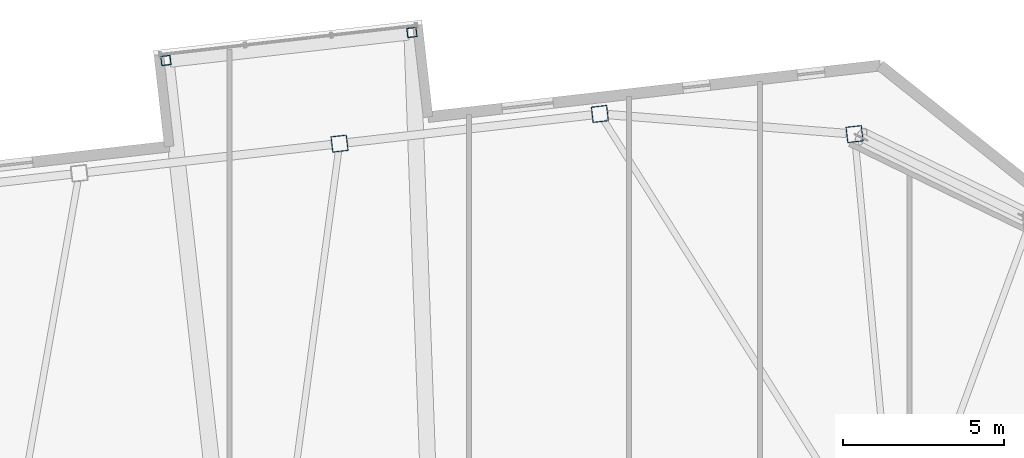
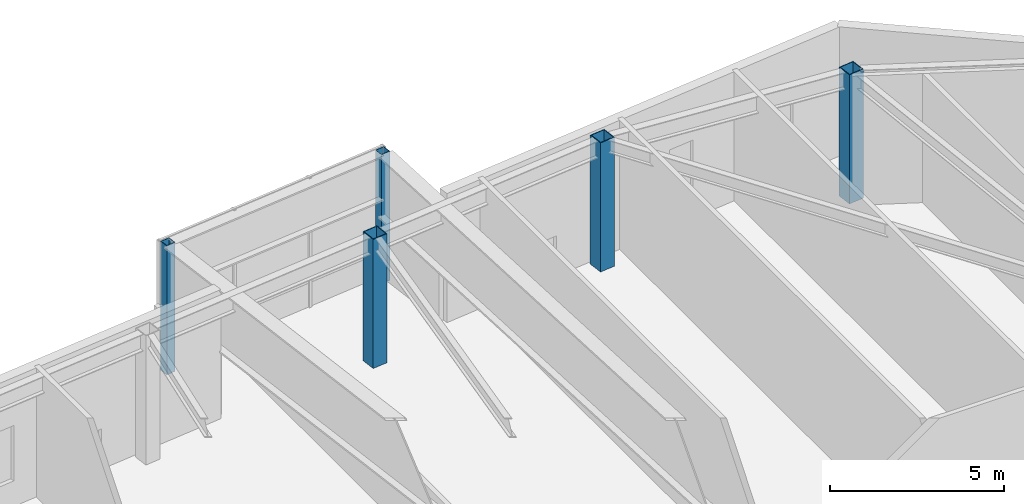
# One storey, part 3 of 21: 5 columns.
"""IFC4 building model written with IfcOpenShell, lengths in metres."""

from ifc_helpers import new_model, si_unit, direction, frame, origin, origin_2d, place, context, subcontext, project, spatial, hollow_rectangle, extrude, material, material_profile, profile_set, type_object, element, save


model = new_model("IFC4")

# Units and contexts
model_context = context("Model", 3, precision=1e-05, world=origin(), true_north=direction((0.0, 1.0)))
body_context = subcontext(model_context, "Body", "Model", "MODEL_VIEW")
ifc_project = project(units=[si_unit("LENGTHUNIT", "METRE"), si_unit("AREAUNIT", "SQUARE_METRE"), si_unit("VOLUMEUNIT", "CUBIC_METRE"), si_unit("PLANEANGLEUNIT", "RADIAN"), si_unit("MASSUNIT", "GRAM", prefix="KILO")], contexts=[model_context])

# Site, building, storey
site_placement = place(None, origin())
site = spatial("IfcSite", under=ifc_project, at=site_placement, CompositionType="ELEMENT")
building_placement = place(site_placement, origin())
building = spatial("IfcBuilding", under=site, at=building_placement, Name="Tavrogorsk Clinical Tower", CompositionType="ELEMENT")
storey_placement = place(building_placement, frame((0.0, 0.0, 238.199951171875)))
storey = spatial("IfcBuildingStorey", under=building, at=storey_placement, Name="L55", CompositionType="ELEMENT", Elevation=238.199951171875)

# Columns
ifc_material_1 = material(Name="Structural steel S390", Category="steel")
ifc_material_profile_1 = material_profile(ifc_material_1, hollow_rectangle(XDim=0.300048828125, YDim=0.300048828125, WallThickness=0.01611328125, at=origin_2d()), Name="SHS-300x300x16")
ifc_profile_set_1 = profile_set([ifc_material_profile_1], Name="Structural steel S390")
column_type_1 = type_object("IfcColumnType", Name="DayroomCol_SHS300", PredefinedType="COLUMN", material=ifc_profile_set_1)
for number, where, z_axis, x_axis, name in (
    (1, (1.77197265625, 29.54296875, 0.0), (0.0, 0.0, 1.0), (0.993571855677, 0.113203213768, 0.0), "L55 Day-Room Box Column DRB-08-L"),
    (2, (9.422607421875, 30.41455078125, 0.0), (0.0, 0.0, 1.0), (0.993571855677, 0.113203213768, 0.0), "L55 Day-Room Box Column DRB-08-R"),
):
    element("IfcColumn", number, at=place(storey_placement, frame(where, z_axis=z_axis, x_axis=x_axis)), inside=storey, type_object=column_type_1, Name=name, PredefinedType="COLUMN", context=body_context, shape_type="SweptSolid", body=[
        extrude(hollow_rectangle(XDim=0.300048828125, YDim=0.300048828125, WallThickness=0.01611328125, at=origin_2d()), origin(), (0.0, 0.0, 1.0), 4.5400390625),
    ])
ifc_material_2 = material(Name="Structural steel S440", Category="steel")
ifc_material_profile_2 = material_profile(ifc_material_2, hollow_rectangle(XDim=0.5, YDim=0.5, WallThickness=0.02490234375, at=origin_2d()), Name="BOX-500x500x25")
ifc_profile_set_2 = profile_set([ifc_material_profile_2], Name="Structural steel S440")
column_type_2 = type_object("IfcColumnType", Name="PerimCol_B4_BOX500", PredefinedType="COLUMN", material=ifc_profile_set_2)
for number, where, z_axis, x_axis, name in (
    (3, (23.188232421875, 27.25341796875, 0.0), (0.0, 0.0, 1.0), (0.993571855677, 0.113203213768, 0.0), "L55 Perimeter Column N1"),
    (4, (15.2685546875, 27.880126953125, 0.0), (0.0, 0.0, 1.0), (0.993571855677, 0.113203213768, 0.0), "L55 Perimeter Column N2"),
    (5, (7.17236328125, 26.95751953125, 0.0), (0.0, 0.0, 1.0), (0.993571855677, 0.113203213768, 0.0), "L55 Perimeter Column N3"),
):
    element("IfcColumn", number, at=place(storey_placement, frame(where, z_axis=z_axis, x_axis=x_axis)), inside=storey, type_object=column_type_2, Name=name, PredefinedType="COLUMN", context=body_context, shape_type="SweptSolid", body=[
        extrude(hollow_rectangle(XDim=0.5, YDim=0.5, WallThickness=0.02490234375, at=origin_2d()), origin(), (0.0, 0.0, 1.0), 4.5400390625),
    ])

save(model, "model.ifc")
